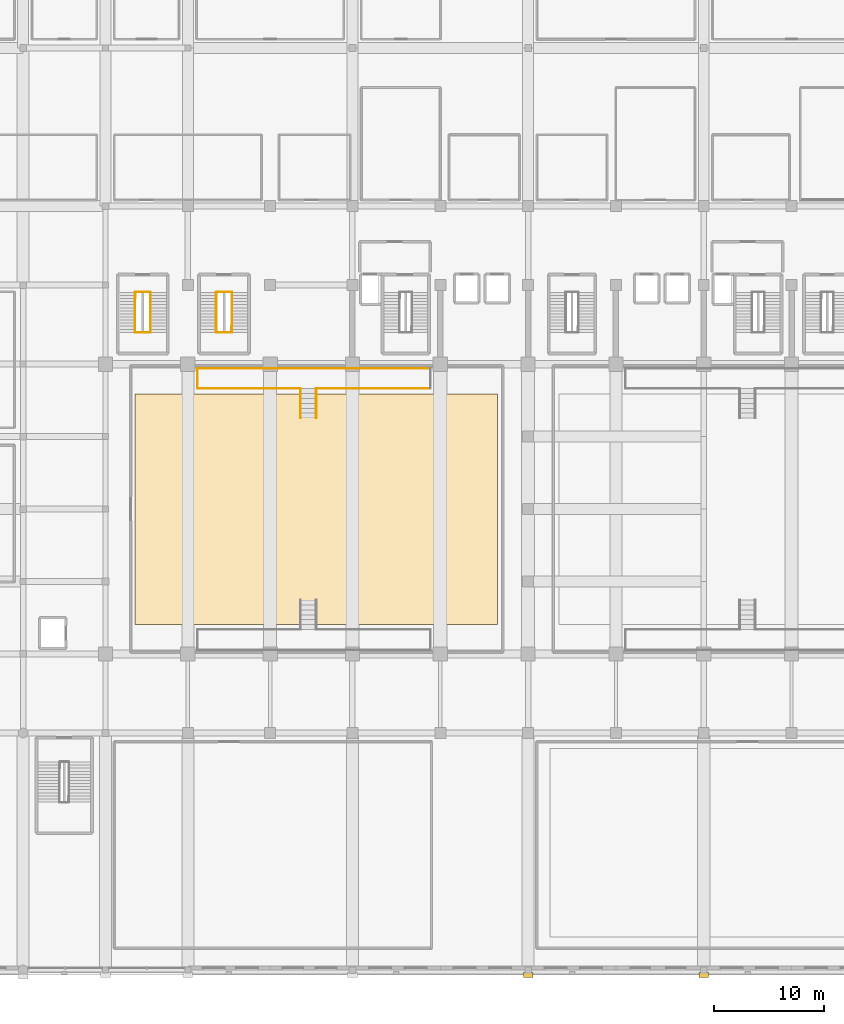
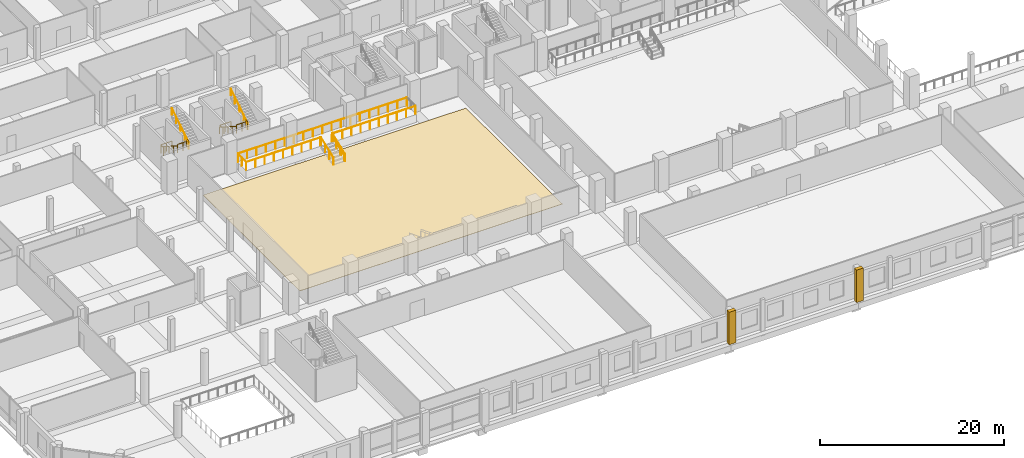
# One storey, part 59 of 68: 15 railings, 3 coverings.
"""IFC4 building model written with IfcOpenShell, lengths in metres."""

from ifc_helpers import new_model, si_unit, direction, frame, origin, origin_2d, place, context, subcontext, project, spatial, rectangle, circle, extrude, material, layer, layer_set, type_object, element, save


model = new_model("IFC4")

# Units and contexts
model_context = context("Model", 3, precision=1e-05, world=origin(), true_north=direction((0.0, 1.0)))
body_context = subcontext(model_context, "Body", "Model", "MODEL_VIEW")
ifc_project = project(units=[si_unit("LENGTHUNIT", "METRE"), si_unit("AREAUNIT", "SQUARE_METRE"), si_unit("VOLUMEUNIT", "CUBIC_METRE"), si_unit("PLANEANGLEUNIT", "RADIAN"), si_unit("MASSUNIT", "GRAM", prefix="KILO")], contexts=[model_context])

# Site, building, storey
site_placement = place(None, origin())
site = spatial("IfcSite", under=ifc_project, at=site_placement, CompositionType="ELEMENT")
building_placement = place(site_placement, origin())
building = spatial("IfcBuilding", under=site, at=building_placement, Name="Akrevak Sports Hall", CompositionType="ELEMENT")
storey_placement = place(building_placement, frame((0.0, 0.0, 9.39990234375)))
storey = spatial("IfcBuildingStorey", under=building, at=storey_placement, Name="L02", CompositionType="ELEMENT", Elevation=9.39990234375)

# Coverings
ifc_material_1 = material(Name="Sprung Hard Maple Sports Flooring", Category="wood")
ifc_layer_1 = layer(ifc_material_1, 0.044921875, Name="Sprung Hard Maple Sports Flooring")
ifc_layer_set_1 = layer_set([ifc_layer_1], Name="Sprung Hard Maple Sports Flooring")
covering_type_1 = type_object("IfcCoveringType", Name="ARC-COV-FLR-MAPLE", PredefinedType="FLOORING", material=ifc_layer_set_1)
covering_placement = place(storey_placement, frame((56.699951171875, 42.0, 0.000244140625), z_axis=(0.0, 0.0, 1.0), x_axis=(1.0, 0.0, 0.0)))
element("IfcCovering", 1, at=covering_placement, inside=storey, type_object=covering_type_1, Name="FIBA Basketball Sprung Maple Court Floor", PredefinedType="FLOORING", context=body_context, shape_type="SweptSolid", body=[
    extrude(rectangle(XDim=33.0, YDim=21.0, at=origin_2d()), origin(), (0.0, 0.0, 1.0), 0.044921875),
])
ifc_material_2 = material(Name="Limestone Ashlar", Category="stone")
ifc_layer_2 = layer(ifc_material_2, 0.47998046875, Name="Limestone Ashlar")
ifc_layer_set_2 = layer_set([ifc_layer_2], Name="Limestone Ashlar")
covering_type_2 = type_object("IfcCoveringType", Name="ARC-COV-PIL-LIM", PredefinedType="CLADDING", material=ifc_layer_set_2)
for number, where, z_axis, x_axis, name in (
    (2, (76.0, -0.449951171875, 0.0), (0.0, 0.0, 1.0), (1.0, 0.0, 0.0), "Giant-Order Limestone Pilaster L02-01-06"),
    (3, (92.0, -0.449951171875, 0.0), (0.0, 0.0, 1.0), (1.0, 0.0, 0.0), "Giant-Order Limestone Pilaster L02-01-07"),
):
    element("IfcCovering", number, at=place(storey_placement, frame(where, z_axis=z_axis, x_axis=x_axis)), inside=storey, type_object=covering_type_2, Name=name, PredefinedType="CLADDING", context=body_context, shape_type="SweptSolid", body=[
        extrude(rectangle(XDim=0.8798828125, YDim=0.4599609375, at=origin_2d()), origin(), (0.0, 0.0, 1.0), 4.320068359375),
    ])

# Railings
ifc_material_3 = material(Name="Painted Architectural Balustrade Steel", Category="steel")
ifc_layer_3 = layer(ifc_material_3, 0.06005859375, Name="Painted Architectural Balustrade Steel")
ifc_layer_set_3 = layer_set([ifc_layer_3], Name="Painted Architectural Balustrade Steel")
railing_type_1 = type_object("IfcRailingType", Name="ARC-RL-GRD-1120", PredefinedType="GUARDRAIL", material=ifc_layer_set_3)
railing_1_placement = place(storey_placement, frame((47.6201171875, 61.215087890625, 0.0)))
element("IfcRailing", 4, at=railing_1_placement, inside=storey, type_object=railing_type_1, Name="Stair Floor Landing Well Guard ST4 (L02)", PredefinedType="GUARDRAIL", context=body_context, shape_type="SweptSolid", body=[
    extrude(circle(Radius=0.02392578125, at=origin_2d()), frame((0.0, 0.0, 1.09619140625), z_axis=(0.0, 1.0, 0.0), x_axis=(-1.0, 0.0, 0.0)), (0.0, 0.0, 1.0), 0.5498046875),
    extrude(circle(Radius=0.02392578125, at=origin_2d()), frame((0.0, 0.5498046875, 1.09619140625), z_axis=(1.0, 0.0, 0.0), x_axis=(0.0, 1.0, 0.0)), (0.0, 0.0, 1.0), 1.389892578125),
    extrude(circle(Radius=0.02099609375, at=origin_2d()), origin(), (0.0, 0.0, 1.0), 1.072021484375),
    extrude(circle(Radius=0.02099609375, at=origin_2d()), frame((0.0, 0.5498046875, 0.0)), (0.0, 0.0, 1.0), 1.072021484375),
    extrude(circle(Radius=0.02099609375, at=origin_2d()), frame((0.69482421875, 0.5498046875, 0.0)), (0.0, 0.0, 1.0), 1.072021484375),
    extrude(circle(Radius=0.02099609375, at=origin_2d()), frame((1.389892578125, 0.5498046875, 0.0)), (0.0, 0.0, 1.0), 1.072021484375),
])
railing_2_placement = place(storey_placement, frame((47.590087890625, 58.06494140625, 2.300048828125)))
element("IfcRailing", 5, at=railing_2_placement, inside=storey, type_object=railing_type_1, Name="Stair Landing Well Guard ST4-L02-1", PredefinedType="GUARDRAIL", context=body_context, shape_type="SweptSolid", body=[
    extrude(circle(Radius=0.02392578125, at=origin_2d()), frame((0.0, 0.0, 1.09619140625), z_axis=(1.0, 0.0, 0.0), x_axis=(0.0, 1.0, 0.0)), (0.0, 0.0, 1.0), 1.389892578125),
    extrude(circle(Radius=0.02392578125, at=origin_2d()), frame((1.389892578125, 0.0, 1.09619140625), z_axis=(0.0, 1.0, 0.0), x_axis=(-1.0, 0.0, 0.0)), (0.0, 0.0, 1.0), 0.52001953125),
    extrude(circle(Radius=0.02099609375, at=origin_2d()), origin(), (0.0, 0.0, 1.0), 1.072021484375),
    extrude(circle(Radius=0.02099609375, at=origin_2d()), frame((0.69482421875, 0.0, 0.0)), (0.0, 0.0, 1.0), 1.072021484375),
    extrude(circle(Radius=0.02099609375, at=origin_2d()), frame((1.389892578125, 0.0, 0.0)), (0.0, 0.0, 1.0), 1.072021484375),
    extrude(circle(Radius=0.02099609375, at=origin_2d()), frame((1.389892578125, 0.52001953125, 0.0)), (0.0, 0.0, 1.0), 1.072021484375),
])
railing_3_placement = place(storey_placement, frame((40.219970703125, 61.215087890625, 0.0)))
element("IfcRailing", 6, at=railing_3_placement, inside=storey, type_object=railing_type_1, Name="Stair Floor Landing Well Guard ST9 (L02)", PredefinedType="GUARDRAIL", context=body_context, shape_type="SweptSolid", body=[
    extrude(circle(Radius=0.02392578125, at=origin_2d()), frame((0.0, 0.0, 1.09619140625), z_axis=(0.0, 1.0, 0.0), x_axis=(-1.0, 0.0, 0.0)), (0.0, 0.0, 1.0), 0.5498046875),
    extrude(circle(Radius=0.02392578125, at=origin_2d()), frame((0.0, 0.5498046875, 1.09619140625), z_axis=(1.0, 0.0, 0.0), x_axis=(0.0, 1.0, 0.0)), (0.0, 0.0, 1.0), 1.39013671875),
    extrude(circle(Radius=0.02099609375, at=origin_2d()), origin(), (0.0, 0.0, 1.0), 1.072021484375),
    extrude(circle(Radius=0.02099609375, at=origin_2d()), frame((0.0, 0.5498046875, 0.0)), (0.0, 0.0, 1.0), 1.072021484375),
    extrude(circle(Radius=0.02099609375, at=origin_2d()), frame((0.695068359375, 0.5498046875, 0.0)), (0.0, 0.0, 1.0), 1.072021484375),
    extrude(circle(Radius=0.02099609375, at=origin_2d()), frame((1.39013671875, 0.5498046875, 0.0)), (0.0, 0.0, 1.0), 1.072021484375),
])
railing_4_placement = place(storey_placement, frame((40.18994140625, 58.06494140625, 2.300048828125)))
element("IfcRailing", 7, at=railing_4_placement, inside=storey, type_object=railing_type_1, Name="Stair Landing Well Guard ST9-L02-1", PredefinedType="GUARDRAIL", context=body_context, shape_type="SweptSolid", body=[
    extrude(circle(Radius=0.02392578125, at=origin_2d()), frame((0.0, 0.0, 1.09619140625), z_axis=(1.0, 0.0, 0.0), x_axis=(0.0, 1.0, 0.0)), (0.0, 0.0, 1.0), 1.39013671875),
    extrude(circle(Radius=0.02392578125, at=origin_2d()), frame((1.39013671875, 0.0, 1.09619140625), z_axis=(0.0, 1.0, 0.0), x_axis=(-1.0, 0.0, 0.0)), (0.0, 0.0, 1.0), 0.52001953125),
    extrude(circle(Radius=0.02099609375, at=origin_2d()), origin(), (0.0, 0.0, 1.0), 1.072021484375),
    extrude(circle(Radius=0.02099609375, at=origin_2d()), frame((0.695068359375, 0.0, 0.0)), (0.0, 0.0, 1.0), 1.072021484375),
    extrude(circle(Radius=0.02099609375, at=origin_2d()), frame((1.39013671875, 0.0, 0.0)), (0.0, 0.0, 1.0), 1.072021484375),
    extrude(circle(Radius=0.02099609375, at=origin_2d()), frame((1.39013671875, 0.52001953125, 0.0)), (0.0, 0.0, 1.0), 1.072021484375),
])
for number, where, name in (
    (8, (55.280029296875, 50.280029296875, 0.0), "Basketball North Stand Gangway 6 Side Guardrail L"),
    (9, (56.719970703125, 50.280029296875, 0.0), "Basketball North Stand Gangway 6 Side Guardrail R"),
):
    element("IfcRailing", number, at=place(storey_placement, frame(where)), inside=storey, type_object=railing_type_1, Name=name, PredefinedType="GUARDRAIL", context=body_context, shape_type="SweptSolid", body=[
        extrude(circle(Radius=0.02392578125, at=origin_2d()), frame((0.0, 0.0, 1.09619140625), z_axis=(0.0, 0.931996763482, 0.362466595509), x_axis=(-1.0, 0.0, 0.0)), (0.0, 0.0, 1.0), 2.89697265625),
        extrude(circle(Radius=0.02099609375, at=origin_2d()), origin(), (0.0, 0.0, 1.0), 1.072021484375),
        extrude(circle(Radius=0.02099609375, at=origin_2d()), frame((0.0, 0.89990234375, 0.35009765625)), (0.0, 0.0, 1.0), 1.072021484375),
        extrude(circle(Radius=0.02099609375, at=origin_2d()), frame((0.0, 1.800048828125, 0.699951171875)), (0.0, 0.0, 1.0), 1.072021484375),
        extrude(circle(Radius=0.02099609375, at=origin_2d()), frame((0.0, 2.699951171875, 1.050048828125)), (0.0, 0.0, 1.0), 1.072021484375),
    ])
railing_5_placement = place(storey_placement, frame((45.8798828125, 54.820068359375, 1.050048828125)))
element("IfcRailing", 10, at=railing_5_placement, inside=storey, type_object=railing_type_1, Name="Spectator Stand Crowd Barrier BB-N1-BACK", PredefinedType="GUARDRAIL", context=body_context, shape_type="SweptSolid", body=[
    extrude(circle(Radius=0.02392578125, at=origin_2d()), frame((0.0, 0.0, 1.09619140625), z_axis=(1.0, 0.0, 0.0), x_axis=(0.0, 1.0, 0.0)), (0.0, 0.0, 1.0), 21.240234375),
    extrude(circle(Radius=0.02099609375, at=origin_2d()), origin(), (0.0, 0.0, 1.0), 1.072021484375),
    extrude(circle(Radius=0.02099609375, at=origin_2d()), frame((1.179931640625, 0.0, 0.0)), (0.0, 0.0, 1.0), 1.072021484375),
    extrude(circle(Radius=0.02099609375, at=origin_2d()), frame((2.360107421875, 0.0, 0.0)), (0.0, 0.0, 1.0), 1.072021484375),
    extrude(circle(Radius=0.02099609375, at=origin_2d()), frame((3.5400390625, 0.0, 0.0)), (0.0, 0.0, 1.0), 1.072021484375),
    extrude(circle(Radius=0.02099609375, at=origin_2d()), frame((4.719970703125, 0.0, 0.0)), (0.0, 0.0, 1.0), 1.072021484375),
    extrude(circle(Radius=0.02099609375, at=origin_2d()), frame((5.900146484375, 0.0, 0.0)), (0.0, 0.0, 1.0), 1.072021484375),
    extrude(circle(Radius=0.02099609375, at=origin_2d()), frame((7.080078125, 0.0, 0.0)), (0.0, 0.0, 1.0), 1.072021484375),
    extrude(circle(Radius=0.02099609375, at=origin_2d()), frame((8.260009765625, 0.0, 0.0)), (0.0, 0.0, 1.0), 1.072021484375),
    extrude(circle(Radius=0.02099609375, at=origin_2d()), frame((9.440185546875, 0.0, 0.0)), (0.0, 0.0, 1.0), 1.072021484375),
    extrude(circle(Radius=0.02099609375, at=origin_2d()), frame((10.6201171875, 0.0, 0.0)), (0.0, 0.0, 1.0), 1.072021484375),
    extrude(circle(Radius=0.02099609375, at=origin_2d()), frame((11.800048828125, 0.0, 0.0)), (0.0, 0.0, 1.0), 1.072021484375),
    extrude(circle(Radius=0.02099609375, at=origin_2d()), frame((12.980224609375, 0.0, 0.0)), (0.0, 0.0, 1.0), 1.072021484375),
    extrude(circle(Radius=0.02099609375, at=origin_2d()), frame((14.16015625, 0.0, 0.0)), (0.0, 0.0, 1.0), 1.072021484375),
    extrude(circle(Radius=0.02099609375, at=origin_2d()), frame((15.340087890625, 0.0, 0.0)), (0.0, 0.0, 1.0), 1.072021484375),
    extrude(circle(Radius=0.02099609375, at=origin_2d()), frame((16.520263671875, 0.0, 0.0)), (0.0, 0.0, 1.0), 1.072021484375),
    extrude(circle(Radius=0.02099609375, at=origin_2d()), frame((17.7001953125, 0.0, 0.0)), (0.0, 0.0, 1.0), 1.072021484375),
    extrude(circle(Radius=0.02099609375, at=origin_2d()), frame((18.880126953125, 0.0, 0.0)), (0.0, 0.0, 1.0), 1.072021484375),
    extrude(circle(Radius=0.02099609375, at=origin_2d()), frame((20.060302734375, 0.0, 0.0)), (0.0, 0.0, 1.0), 1.072021484375),
    extrude(circle(Radius=0.02099609375, at=origin_2d()), frame((21.240234375, 0.0, 0.0)), (0.0, 0.0, 1.0), 1.072021484375),
])
railing_6_placement = place(storey_placement, frame((45.8798828125, 52.97998046875, 1.050048828125)))
element("IfcRailing", 11, at=railing_6_placement, inside=storey, type_object=railing_type_1, Name="Spectator Stand Crowd Barrier BB-N1-W", PredefinedType="GUARDRAIL", context=body_context, shape_type="SweptSolid", body=[
    extrude(circle(Radius=0.02392578125, at=origin_2d()), frame((0.0, 0.0, 1.09619140625), z_axis=(0.0, 1.0, 0.0), x_axis=(-1.0, 0.0, 0.0)), (0.0, 0.0, 1.0), 1.840087890625),
    extrude(circle(Radius=0.02099609375, at=origin_2d()), origin(), (0.0, 0.0, 1.0), 1.072021484375),
    extrude(circle(Radius=0.02099609375, at=origin_2d()), frame((0.0, 0.919921875, 0.0)), (0.0, 0.0, 1.0), 1.072021484375),
    extrude(circle(Radius=0.02099609375, at=origin_2d()), frame((0.0, 1.840087890625, 0.0)), (0.0, 0.0, 1.0), 1.072021484375),
])
railing_7_placement = place(storey_placement, frame((45.8798828125, 52.97998046875, 1.050048828125)))
element("IfcRailing", 12, at=railing_7_placement, inside=storey, type_object=railing_type_1, Name="Spectator Stand Crowd Barrier BB-N1-FR-L", PredefinedType="GUARDRAIL", context=body_context, shape_type="SweptSolid", body=[
    extrude(circle(Radius=0.02392578125, at=origin_2d()), frame((0.0, 0.0, 1.09619140625), z_axis=(1.0, 0.0, 0.0), x_axis=(0.0, 1.0, 0.0)), (0.0, 0.0, 1.0), 9.2900390625),
    extrude(circle(Radius=0.02099609375, at=origin_2d()), origin(), (0.0, 0.0, 1.0), 1.072021484375),
    extrude(circle(Radius=0.02099609375, at=origin_2d()), frame((1.1611328125, 0.0, 0.0)), (0.0, 0.0, 1.0), 1.072021484375),
    extrude(circle(Radius=0.02099609375, at=origin_2d()), frame((2.322509765625, 0.0, 0.0)), (0.0, 0.0, 1.0), 1.072021484375),
    extrude(circle(Radius=0.02099609375, at=origin_2d()), frame((3.48388671875, 0.0, 0.0)), (0.0, 0.0, 1.0), 1.072021484375),
    extrude(circle(Radius=0.02099609375, at=origin_2d()), frame((4.64501953125, 0.0, 0.0)), (0.0, 0.0, 1.0), 1.072021484375),
    extrude(circle(Radius=0.02099609375, at=origin_2d()), frame((5.80615234375, 0.0, 0.0)), (0.0, 0.0, 1.0), 1.072021484375),
    extrude(circle(Radius=0.02099609375, at=origin_2d()), frame((6.967529296875, 0.0, 0.0)), (0.0, 0.0, 1.0), 1.072021484375),
    extrude(circle(Radius=0.02099609375, at=origin_2d()), frame((8.12890625, 0.0, 0.0)), (0.0, 0.0, 1.0), 1.072021484375),
    extrude(circle(Radius=0.02099609375, at=origin_2d()), frame((9.2900390625, 0.0, 0.0)), (0.0, 0.0, 1.0), 1.072021484375),
])
railing_8_placement = place(storey_placement, frame((56.830078125, 52.97998046875, 1.050048828125)))
element("IfcRailing", 13, at=railing_8_placement, inside=storey, type_object=railing_type_1, Name="Spectator Stand Crowd Barrier BB-N1-FR-R", PredefinedType="GUARDRAIL", context=body_context, shape_type="SweptSolid", body=[
    extrude(circle(Radius=0.02392578125, at=origin_2d()), frame((0.0, 0.0, 1.09619140625), z_axis=(1.0, 0.0, 0.0), x_axis=(0.0, 1.0, 0.0)), (0.0, 0.0, 1.0), 10.2900390625),
    extrude(circle(Radius=0.02099609375, at=origin_2d()), origin(), (0.0, 0.0, 1.0), 1.072021484375),
    extrude(circle(Radius=0.02099609375, at=origin_2d()), frame((1.143310546875, 0.0, 0.0)), (0.0, 0.0, 1.0), 1.072021484375),
    extrude(circle(Radius=0.02099609375, at=origin_2d()), frame((2.28662109375, 0.0, 0.0)), (0.0, 0.0, 1.0), 1.072021484375),
    extrude(circle(Radius=0.02099609375, at=origin_2d()), frame((3.429931640625, 0.0, 0.0)), (0.0, 0.0, 1.0), 1.072021484375),
    extrude(circle(Radius=0.02099609375, at=origin_2d()), frame((4.5732421875, 0.0, 0.0)), (0.0, 0.0, 1.0), 1.072021484375),
    extrude(circle(Radius=0.02099609375, at=origin_2d()), frame((5.716796875, 0.0, 0.0)), (0.0, 0.0, 1.0), 1.072021484375),
    extrude(circle(Radius=0.02099609375, at=origin_2d()), frame((6.860107421875, 0.0, 0.0)), (0.0, 0.0, 1.0), 1.072021484375),
    extrude(circle(Radius=0.02099609375, at=origin_2d()), frame((8.00341796875, 0.0, 0.0)), (0.0, 0.0, 1.0), 1.072021484375),
    extrude(circle(Radius=0.02099609375, at=origin_2d()), frame((9.146728515625, 0.0, 0.0)), (0.0, 0.0, 1.0), 1.072021484375),
    extrude(circle(Radius=0.02099609375, at=origin_2d()), frame((10.2900390625, 0.0, 0.0)), (0.0, 0.0, 1.0), 1.072021484375),
])
ifc_material_4 = material(Name="Brushed Stainless Steel 304", Category="steel")
ifc_layer_4 = layer(ifc_material_4, 0.050048828125, Name="Brushed Stainless Steel 304")
ifc_layer_set_4 = layer_set([ifc_layer_4], Name="Brushed Stainless Steel 304")
railing_type_2 = type_object("IfcRailingType", Name="ARC-RL-HND-900", PredefinedType="HANDRAIL", material=ifc_layer_set_4)
railing_9_placement = place(storey_placement, frame((47.590087890625, 61.735107421875, 0.0)))
element("IfcRailing", 14, at=railing_9_placement, inside=storey, type_object=railing_type_2, Name="Stair Handrail ST4-L02-F1", PredefinedType="HANDRAIL", context=body_context, shape_type="SweptSolid", body=[
    extrude(circle(Radius=0.02392578125, at=origin_2d()), frame((0.0, 0.0, 0.8759765625), z_axis=(0.0, -0.845382449256, 0.534161505998), x_axis=(1.0, 0.0, 0.0)), (0.0, 0.0, 1.0), 4.305908203125),
    extrude(circle(Radius=0.02099609375, at=origin_2d()), origin(), (0.0, 0.0, 1.0), 0.851806640625),
    extrude(circle(Radius=0.02099609375, at=origin_2d()), frame((0.0, -0.91015625, 0.574951171875)), (0.0, 0.0, 1.0), 0.851806640625),
    extrude(circle(Radius=0.02099609375, at=origin_2d()), frame((0.0, -1.820068359375, 1.14990234375)), (0.0, 0.0, 1.0), 0.851806640625),
    extrude(circle(Radius=0.02099609375, at=origin_2d()), frame((0.0, -2.72998046875, 1.72509765625)), (0.0, 0.0, 1.0), 0.851806640625),
    extrude(circle(Radius=0.02099609375, at=origin_2d()), frame((0.0, -3.64013671875, 2.300048828125)), (0.0, 0.0, 1.0), 0.851806640625),
])
railing_10_placement = place(storey_placement, frame((49.010009765625, 58.094970703125, 2.300048828125)))
element("IfcRailing", 15, at=railing_10_placement, inside=storey, type_object=railing_type_2, Name="Stair Handrail ST4-L02-F2", PredefinedType="HANDRAIL", context=body_context, shape_type="SweptSolid", body=[
    extrude(circle(Radius=0.02392578125, at=origin_2d()), frame((0.0, 0.0, 0.8759765625), z_axis=(0.0, 0.845382449256, 0.534161505998), x_axis=(-1.0, 0.0, 0.0)), (0.0, 0.0, 1.0), 4.305908203125),
    extrude(circle(Radius=0.02099609375, at=origin_2d()), origin(), (0.0, 0.0, 1.0), 0.851806640625),
    extrude(circle(Radius=0.02099609375, at=origin_2d()), frame((0.0, 0.91015625, 0.574951171875)), (0.0, 0.0, 1.0), 0.851806640625),
    extrude(circle(Radius=0.02099609375, at=origin_2d()), frame((0.0, 1.820068359375, 1.14990234375)), (0.0, 0.0, 1.0), 0.851806640625),
    extrude(circle(Radius=0.02099609375, at=origin_2d()), frame((0.0, 2.72998046875, 1.72509765625)), (0.0, 0.0, 1.0), 0.851806640625),
    extrude(circle(Radius=0.02099609375, at=origin_2d()), frame((0.0, 3.64013671875, 2.300048828125)), (0.0, 0.0, 1.0), 0.851806640625),
])
railing_11_placement = place(storey_placement, frame((40.18994140625, 61.735107421875, 0.0)))
element("IfcRailing", 16, at=railing_11_placement, inside=storey, type_object=railing_type_2, Name="Stair Handrail ST9-L02-F1", PredefinedType="HANDRAIL", context=body_context, shape_type="SweptSolid", body=[
    extrude(circle(Radius=0.02392578125, at=origin_2d()), frame((0.0, 0.0, 0.8759765625), z_axis=(0.0, -0.845382449256, 0.534161505998), x_axis=(1.0, 0.0, 0.0)), (0.0, 0.0, 1.0), 4.305908203125),
    extrude(circle(Radius=0.02099609375, at=origin_2d()), origin(), (0.0, 0.0, 1.0), 0.851806640625),
    extrude(circle(Radius=0.02099609375, at=origin_2d()), frame((0.0, -0.91015625, 0.574951171875)), (0.0, 0.0, 1.0), 0.851806640625),
    extrude(circle(Radius=0.02099609375, at=origin_2d()), frame((0.0, -1.820068359375, 1.14990234375)), (0.0, 0.0, 1.0), 0.851806640625),
    extrude(circle(Radius=0.02099609375, at=origin_2d()), frame((0.0, -2.72998046875, 1.72509765625)), (0.0, 0.0, 1.0), 0.851806640625),
    extrude(circle(Radius=0.02099609375, at=origin_2d()), frame((0.0, -3.64013671875, 2.300048828125)), (0.0, 0.0, 1.0), 0.851806640625),
])
railing_12_placement = place(storey_placement, frame((41.610107421875, 58.094970703125, 2.300048828125)))
element("IfcRailing", 17, at=railing_12_placement, inside=storey, type_object=railing_type_2, Name="Stair Handrail ST9-L02-F2", PredefinedType="HANDRAIL", context=body_context, shape_type="SweptSolid", body=[
    extrude(circle(Radius=0.02392578125, at=origin_2d()), frame((0.0, 0.0, 0.8759765625), z_axis=(0.0, 0.845382449256, 0.534161505998), x_axis=(-1.0, 0.0, 0.0)), (0.0, 0.0, 1.0), 4.305908203125),
    extrude(circle(Radius=0.02099609375, at=origin_2d()), origin(), (0.0, 0.0, 1.0), 0.851806640625),
    extrude(circle(Radius=0.02099609375, at=origin_2d()), frame((0.0, 0.91015625, 0.574951171875)), (0.0, 0.0, 1.0), 0.851806640625),
    extrude(circle(Radius=0.02099609375, at=origin_2d()), frame((0.0, 1.820068359375, 1.14990234375)), (0.0, 0.0, 1.0), 0.851806640625),
    extrude(circle(Radius=0.02099609375, at=origin_2d()), frame((0.0, 2.72998046875, 1.72509765625)), (0.0, 0.0, 1.0), 0.851806640625),
    extrude(circle(Radius=0.02099609375, at=origin_2d()), frame((0.0, 3.64013671875, 2.300048828125)), (0.0, 0.0, 1.0), 0.851806640625),
])
railing_13_placement = place(storey_placement, frame((56.669921875, 50.280029296875, 0.0)))
element("IfcRailing", 18, at=railing_13_placement, inside=storey, type_object=railing_type_2, Name="Basketball North Stand Gangway 6 Handrail", PredefinedType="HANDRAIL", context=body_context, shape_type="SweptSolid", body=[
    extrude(circle(Radius=0.02392578125, at=origin_2d()), frame((0.0, 0.0, 0.8759765625), z_axis=(0.0, 0.931996763482, 0.362466595509), x_axis=(-1.0, 0.0, 0.0)), (0.0, 0.0, 1.0), 2.89697265625),
    extrude(circle(Radius=0.02099609375, at=origin_2d()), origin(), (0.0, 0.0, 1.0), 0.851806640625),
    extrude(circle(Radius=0.02099609375, at=origin_2d()), frame((0.0, 0.89990234375, 0.35009765625)), (0.0, 0.0, 1.0), 0.851806640625),
    extrude(circle(Radius=0.02099609375, at=origin_2d()), frame((0.0, 1.800048828125, 0.699951171875)), (0.0, 0.0, 1.0), 0.851806640625),
    extrude(circle(Radius=0.02099609375, at=origin_2d()), frame((0.0, 2.699951171875, 1.050048828125)), (0.0, 0.0, 1.0), 0.851806640625),
])

save(model, "model.ifc")
